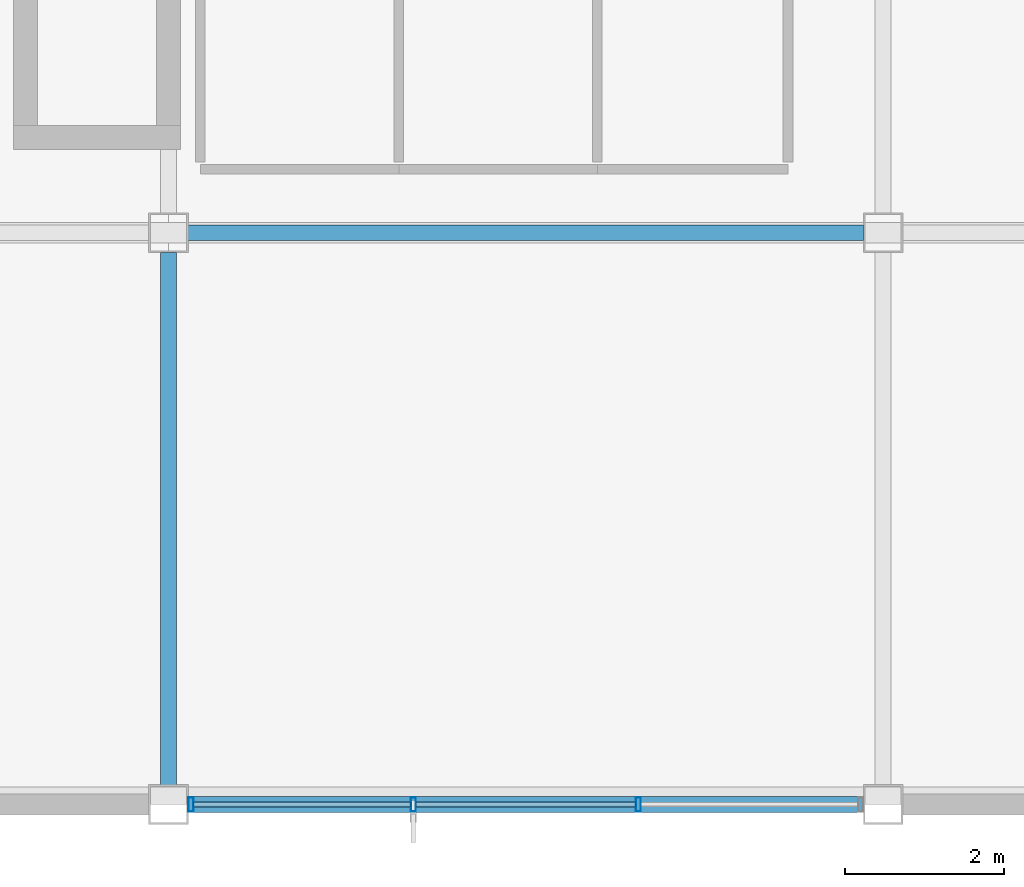
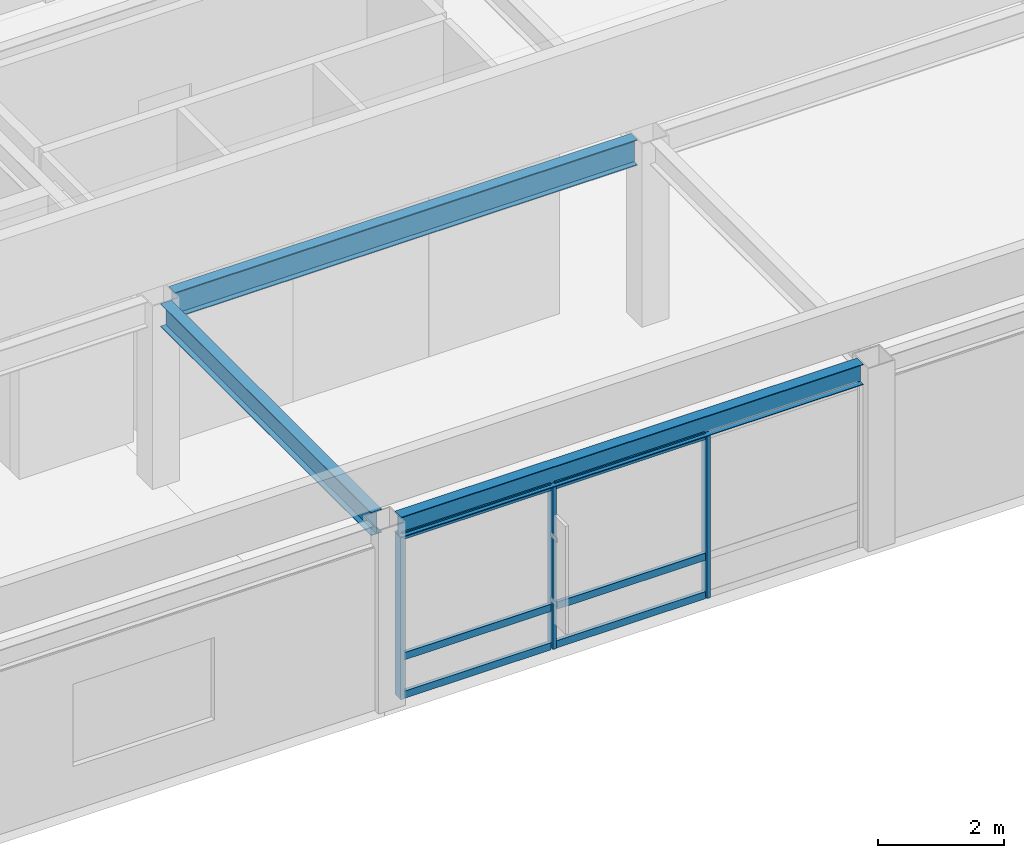
# One storey, part 2 of 9: 9 members, 3 beams, 1 element without a shape of its own.
"""IFC4 building model written with IfcOpenShell, lengths in metres."""

from ifc_helpers import new_model, si_unit, direction, frame, origin, origin_2d, place, context, subcontext, project, spatial, hollow_rectangle, i_section, extrude, material, material_profile, profile_set, type_object, element, aggregate, save


model = new_model("IFC4")

# Units and contexts
model_context = context("Model", 3, precision=1e-05, world=origin(), true_north=direction((0.0, 1.0)))
body_context = subcontext(model_context, "Body", "Model", "MODEL_VIEW")
ifc_project = project(units=[si_unit("LENGTHUNIT", "METRE"), si_unit("AREAUNIT", "SQUARE_METRE"), si_unit("VOLUMEUNIT", "CUBIC_METRE"), si_unit("PLANEANGLEUNIT", "RADIAN"), si_unit("MASSUNIT", "GRAM", prefix="KILO")], contexts=[model_context])

# Site, building, storey
site_placement = place(None, origin())
site = spatial("IfcSite", under=ifc_project, at=site_placement, CompositionType="ELEMENT")
building_placement = place(site_placement, origin())
building = spatial("IfcBuilding", under=site, at=building_placement, Name="Kazanami Central Library", CompositionType="ELEMENT")
storey_placement = place(building_placement, frame((0.0, 0.0, 31.39990234375)))
storey = spatial("IfcBuildingStorey", under=building, at=storey_placement, Name="L09", CompositionType="ELEMENT", Elevation=31.39990234375)

# Beams
ifc_material_1 = material(Name="Steel SN490B (325 MPa)", Category="steel")
ifc_material_profile_1 = material_profile(ifc_material_1, i_section(OverallWidth=0.199951171875, OverallDepth=0.5, WebThickness=0.010009765625, FlangeThickness=0.01611328125, at=origin_2d()), Name="H-500x200x10x16")
ifc_profile_set_1 = profile_set([ifc_material_profile_1], Name="Steel SN490B (325 MPa)")
beam_type_1 = type_object("IfcBeamType", Name="BM-G-X4", PredefinedType="BEAM", material=ifc_profile_set_1)
beam_1_placement = place(storey_placement, frame((135.248046875, 64.800048828125, 3.31005859375), z_axis=(1.0, 0.0, 0.0), x_axis=(0.0, 1.0, 0.0)))
element("IfcBeam", 1, at=beam_1_placement, inside=storey, type_object=beam_type_1, Name="Girder G-X4 L09 K/16-17", PredefinedType="BEAM", context=body_context, shape_type="SweptSolid", body=[
    extrude(i_section(OverallWidth=0.199951171875, OverallDepth=0.5, WebThickness=0.010009765625, FlangeThickness=0.01611328125, at=origin_2d()), origin(), (0.0, 0.0, 1.0), 8.50390625),
])
ifc_material_profile_2 = material_profile(ifc_material_1, i_section(OverallWidth=0.199951171875, OverallDepth=0.449951171875, WebThickness=0.009033203125, FlangeThickness=0.013916015625, at=origin_2d()), Name="H-450x200x9x14")
ifc_profile_set_2 = profile_set([ifc_material_profile_2], Name="Steel SN490B (325 MPa)")
beam_type_2 = type_object("IfcBeamType", Name="BM-G-Y3", PredefinedType="BEAM", material=ifc_profile_set_2)
beam_2_placement = place(storey_placement, frame((135.0, 57.847900390625, 3.335205078125), z_axis=(0.0, 1.0, 0.0), x_axis=(-1.0, 0.0, 0.0)))
element("IfcBeam", 2, at=beam_2_placement, inside=storey, type_object=beam_type_2, Name="Girder G-Y3 L09 16/J-K", PredefinedType="BEAM", context=body_context, shape_type="SweptSolid", body=[
    extrude(i_section(OverallWidth=0.199951171875, OverallDepth=0.449951171875, WebThickness=0.009033203125, FlangeThickness=0.013916015625, at=origin_2d()), origin(), (0.0, 0.0, 1.0), 6.7041015625),
])
ifc_material_profile_3 = material_profile(ifc_material_1, i_section(OverallWidth=0.199951171875, OverallDepth=0.39990234375, WebThickness=0.008056640625, FlangeThickness=0.012939453125, at=origin_2d()), Name="H-400x200x8x13")
ifc_profile_set_3 = profile_set([ifc_material_profile_3], Name="Steel SN490B (325 MPa)")
beam_type_3 = type_object("IfcBeamType", Name="BM-SP-3", PredefinedType="SPANDREL", material=ifc_profile_set_3)
beam_3_placement = place(storey_placement, frame((135.248046875, 57.60009765625, 3.360107421875), z_axis=(1.0, 0.0, 0.0), x_axis=(0.0, 1.0, 0.0)))
element("IfcBeam", 3, at=beam_3_placement, inside=storey, type_object=beam_type_3, Name="Girder SP-3 L09 J/16-17", PredefinedType="SPANDREL", context=body_context, shape_type="SweptSolid", body=[
    extrude(i_section(OverallWidth=0.199951171875, OverallDepth=0.39990234375, WebThickness=0.008056640625, FlangeThickness=0.012939453125, at=origin_2d()), origin(), (0.0, 0.0, 1.0), 8.50390625),
])

# Curtain wall, members
ifc_material_2 = material(Name="Acid-Etched Low-E Laminated Glass", Category="glass")
curtain_wall_type = type_object("IfcCurtainWallType", Name="CW-8500x3160-M275", PredefinedType="USERDEFINED", material=ifc_material_2)
curtain_wall_placement = place(storey_placement, origin())
curtain_wall = element("IfcCurtainWall", 4, at=curtain_wall_placement, inside=storey, type_object=curtain_wall_type, Name="Unitised Curtain Wall CW-62 L09 S-J-15", ObjectType="UNITISED CURTAIN WALL", PredefinedType="USERDEFINED")
ifc_material_3 = material(Name="Anodised Aluminium A6063-T5", Category="aluminium")
ifc_material_profile_4 = material_profile(ifc_material_3, hollow_rectangle(XDim=0.06494140625, YDim=0.179931640625, WallThickness=0.00390625, at=origin_2d()), Name="ALU-MULL-65x180x4")
ifc_profile_set_4 = profile_set([ifc_material_profile_4], Name="Anodised Aluminium A6063-T5")
member_type_1 = type_object("IfcMemberType", Name="MEM-CW-M2", PredefinedType="MULLION", material=ifc_profile_set_4)
member_1_placement = place(storey_placement, frame((135.282470703125, 57.60009765625, 0.0), z_axis=(0.0, 0.0, 1.0), x_axis=(1.0, 0.0, 0.0)))
member_1 = element("IfcMember", 5, at=member_1_placement, type_object=member_type_1, Name="CW-62 mullion 1", PredefinedType="MULLION", context=body_context, shape_type="SweptSolid", body=[
    extrude(hollow_rectangle(XDim=0.06494140625, YDim=0.179931640625, WallThickness=0.00390625, at=origin_2d()), origin(), (0.0, 0.0, 1.0), 3.16015625),
])
member_2_placement = place(storey_placement, frame((138.083251953125, 57.60009765625, 0.0), z_axis=(0.0, 0.0, 1.0), x_axis=(1.0, 0.0, 0.0)))
member_2 = element("IfcMember", 6, at=member_2_placement, type_object=member_type_1, Name="CW-62 mullion 2", PredefinedType="MULLION", context=body_context, shape_type="SweptSolid", body=[
    extrude(hollow_rectangle(XDim=0.06494140625, YDim=0.179931640625, WallThickness=0.00390625, at=origin_2d()), origin(), (0.0, 0.0, 1.0), 3.16015625),
])
member_3_placement = place(storey_placement, frame((140.916748046875, 57.60009765625, 0.0), z_axis=(0.0, 0.0, 1.0), x_axis=(1.0, 0.0, 0.0)))
member_3 = element("IfcMember", 7, at=member_3_placement, type_object=member_type_1, Name="CW-62 mullion 3", PredefinedType="MULLION", context=body_context, shape_type="SweptSolid", body=[
    extrude(hollow_rectangle(XDim=0.06494140625, YDim=0.179931640625, WallThickness=0.00390625, at=origin_2d()), origin(), (0.0, 0.0, 1.0), 3.16015625),
])
ifc_material_profile_5 = material_profile(ifc_material_3, hollow_rectangle(XDim=0.06494140625, YDim=0.139892578125, WallThickness=0.00390625, at=origin_2d()), Name="ALU-TRAN-65x140x4")
ifc_profile_set_5 = profile_set([ifc_material_profile_5], Name="Anodised Aluminium A6063-T5")
member_type_2 = type_object("IfcMemberType", Name="MEM-CW-T2", PredefinedType="USERDEFINED", material=ifc_profile_set_5)
member_4_placement = place(storey_placement, frame((135.31494140625, 57.60009765625, 0.03271484375), z_axis=(1.0, 0.0, 0.0), x_axis=(0.0, 1.0, 0.0)))
member_4 = element("IfcMember", 8, at=member_4_placement, type_object=member_type_2, Name="CW-62 transom 1.1", ObjectType="TRANSOM", PredefinedType="USERDEFINED", context=body_context, shape_type="SweptSolid", body=[
    extrude(hollow_rectangle(XDim=0.06494140625, YDim=0.139892578125, WallThickness=0.00390625, at=origin_2d()), origin(), (0.0, 0.0, 1.0), 2.73583984375),
])
member_5_placement = place(storey_placement, frame((135.31494140625, 57.60009765625, 0.780029296875), z_axis=(1.0, 0.0, 0.0), x_axis=(0.0, 1.0, 0.0)))
member_5 = element("IfcMember", 9, at=member_5_placement, type_object=member_type_2, Name="CW-62 transom 1.2", ObjectType="TRANSOM", PredefinedType="USERDEFINED", context=body_context, shape_type="SweptSolid", body=[
    extrude(hollow_rectangle(XDim=0.06494140625, YDim=0.139892578125, WallThickness=0.00390625, at=origin_2d()), origin(), (0.0, 0.0, 1.0), 2.73583984375),
])
member_6_placement = place(storey_placement, frame((135.31494140625, 57.60009765625, 3.127685546875), z_axis=(1.0, 0.0, 0.0), x_axis=(0.0, 1.0, 0.0)))
member_6 = element("IfcMember", 10, at=member_6_placement, type_object=member_type_2, Name="CW-62 transom 1.3", ObjectType="TRANSOM", PredefinedType="USERDEFINED", context=body_context, shape_type="SweptSolid", body=[
    extrude(hollow_rectangle(XDim=0.06494140625, YDim=0.139892578125, WallThickness=0.00390625, at=origin_2d()), origin(), (0.0, 0.0, 1.0), 2.73583984375),
])
member_7_placement = place(storey_placement, frame((138.11572265625, 57.60009765625, 0.03271484375), z_axis=(1.0, 0.0, 0.0), x_axis=(0.0, 1.0, 0.0)))
member_7 = element("IfcMember", 11, at=member_7_placement, type_object=member_type_2, Name="CW-62 transom 2.1", ObjectType="TRANSOM", PredefinedType="USERDEFINED", context=body_context, shape_type="SweptSolid", body=[
    extrude(hollow_rectangle(XDim=0.06494140625, YDim=0.139892578125, WallThickness=0.00390625, at=origin_2d()), origin(), (0.0, 0.0, 1.0), 2.7685546875),
])
member_8_placement = place(storey_placement, frame((138.11572265625, 57.60009765625, 0.780029296875), z_axis=(1.0, 0.0, 0.0), x_axis=(0.0, 1.0, 0.0)))
member_8 = element("IfcMember", 12, at=member_8_placement, type_object=member_type_2, Name="CW-62 transom 2.2", ObjectType="TRANSOM", PredefinedType="USERDEFINED", context=body_context, shape_type="SweptSolid", body=[
    extrude(hollow_rectangle(XDim=0.06494140625, YDim=0.139892578125, WallThickness=0.00390625, at=origin_2d()), origin(), (0.0, 0.0, 1.0), 2.7685546875),
])
member_9_placement = place(storey_placement, frame((138.11572265625, 57.60009765625, 3.127685546875), z_axis=(1.0, 0.0, 0.0), x_axis=(0.0, 1.0, 0.0)))
member_9 = element("IfcMember", 13, at=member_9_placement, type_object=member_type_2, Name="CW-62 transom 2.3", ObjectType="TRANSOM", PredefinedType="USERDEFINED", context=body_context, shape_type="SweptSolid", body=[
    extrude(hollow_rectangle(XDim=0.06494140625, YDim=0.139892578125, WallThickness=0.00390625, at=origin_2d()), origin(), (0.0, 0.0, 1.0), 2.7685546875),
])
aggregate(curtain_wall, [member_1, member_2, member_3, member_4, member_5, member_6, member_7, member_8, member_9])

save(model, "model.ifc")
